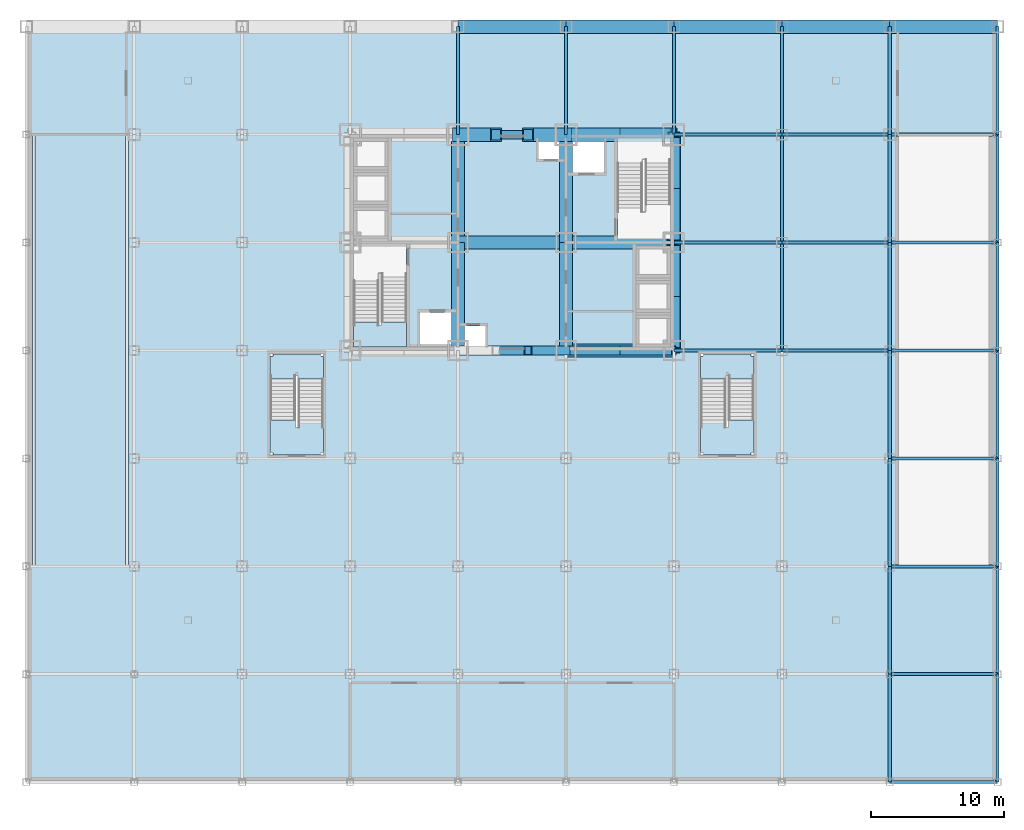
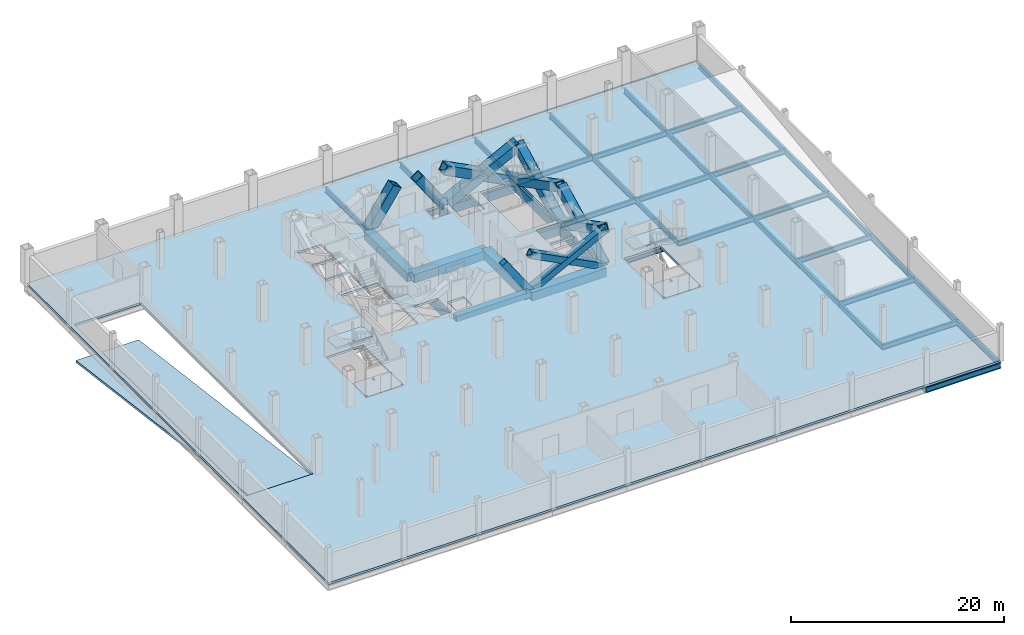
# One storey, part 10 of 14: 50 beams, 11 members, 7 slabs, 3 elements without a shape of their own.
"""IFC4 building model written with IfcOpenShell, lengths in metres."""

from ifc_helpers import new_model, si_unit, direction, frame, origin, origin_2d, place, context, subcontext, project, spatial, polyline, hollow_rectangle, i_section, outline, extrude, material, layer, layer_set, material_profile, profile_set, type_object, element, aggregate, save


model = new_model("IFC4")

# Units and contexts
model_context = context("Model", 3, precision=1e-05, world=origin(), true_north=direction((0.0, 1.0)))
body_context = subcontext(model_context, "Body", "Model", "MODEL_VIEW")
ifc_project = project(units=[si_unit("LENGTHUNIT", "METRE"), si_unit("AREAUNIT", "SQUARE_METRE"), si_unit("VOLUMEUNIT", "CUBIC_METRE"), si_unit("PLANEANGLEUNIT", "RADIAN"), si_unit("MASSUNIT", "GRAM", prefix="KILO")], contexts=[model_context])

# Site, building, storey
site_placement = place(None, origin())
site = spatial("IfcSite", under=ifc_project, at=site_placement, CompositionType="ELEMENT")
building_placement = place(site_placement, origin())
building = spatial("IfcBuilding", under=site, at=building_placement, Name="Kopane Lantern Tower", CompositionType="ELEMENT")
storey_placement = place(building_placement, frame((0.0, 0.0, -4.199951171875)))
storey = spatial("IfcBuildingStorey", under=building, at=storey_placement, Name="L-01", CompositionType="ELEMENT", Elevation=-4.199951171875)

# Members
ifc_material_1 = material(Name="Steel S355JR", Category="steel")
ifc_material_profile_1 = material_profile(ifc_material_1, hollow_rectangle(XDim=1.0, YDim=1.0, WallThickness=0.10009765625, at=origin_2d()), Name="BOX 1000x1000x100")
ifc_profile_set_1 = profile_set([ifc_material_profile_1], Name="Steel S355JR")
member_type_1 = type_object("IfcMemberType", Name="BRACE BOX 1000x1000x100", PredefinedType="BRACE", material=ifc_profile_set_1)
for number, where, z_axis, x_axis, name in (
    (1, (24.300048828125, 40.5, -0.25), (0.561486126659, 0.0, 0.827486150682), (0.0, 1.0, 0.0), "Core brace L-01"),
    (2, (32.39990234375, 40.5, -0.25), (-0.561486126659, 0.0, 0.827486150682), (0.0, -1.0, 0.0), "Core brace L-01"),
):
    element("IfcMember", number, at=place(storey_placement, frame(where, z_axis=z_axis, x_axis=x_axis)), inside=storey, type_object=member_type_1, Name=name, PredefinedType="BRACE", context=body_context, shape_type="SweptSolid", body=[
        extrude(hollow_rectangle(XDim=1.0, YDim=1.0, WallThickness=0.10009765625, at=origin_2d()), origin(), (0.0, 0.0, 1.0), 5.075439453125),
    ])
for number, where, z_axis, x_axis, name in (
    (3, (32.39990234375, 40.5, -0.25), (0.887758986163, 0.0, 0.460308573119), (0.0, 1.0, 0.0), "Core brace L-01"),
    (4, (40.5, 40.5, -0.25), (-0.887758986163, 0.0, 0.460308573119), (0.0, -1.0, 0.0), "Core brace L-01"),
):
    element("IfcMember", number, at=place(storey_placement, frame(where, z_axis=z_axis, x_axis=x_axis)), inside=storey, type_object=member_type_1, Name=name, PredefinedType="BRACE", context=body_context, shape_type="SweptSolid", body=[
        extrude(hollow_rectangle(XDim=1.0, YDim=1.0, WallThickness=0.10009765625, at=origin_2d()), origin(), (0.0, 0.0, 1.0), 9.124267578125),
    ])
ifc_material_2 = material(Name="Steel S355JR", Category="steel")
ifc_material_profile_2 = material_profile(ifc_material_2, hollow_rectangle(XDim=0.699951171875, YDim=0.699951171875, WallThickness=0.06005859375, at=origin_2d()), Name="BOX 700x700x60")
ifc_profile_set_2 = profile_set([ifc_material_profile_2], Name="Steel S355JR")
member_type_2 = type_object("IfcMemberType", Name="BRACE BOX 700x700x60", PredefinedType="BRACE", material=ifc_profile_set_2)
member_placement = place(storey_placement, frame((32.39990234375, 24.300048828125, -0.25), z_axis=(-0.561486126659, 0.0, 0.827486150682), x_axis=(0.0, -1.0, 0.0)))
element("IfcMember", 5, at=member_placement, inside=storey, type_object=member_type_2, Name="Core brace L-01", PredefinedType="BRACE", context=body_context, shape_type="SweptSolid", body=[
    extrude(hollow_rectangle(XDim=0.699951171875, YDim=0.699951171875, WallThickness=0.06005859375, at=origin_2d()), origin(), (0.0, 0.0, 1.0), 5.075439453125),
])
for number, where, z_axis, x_axis, name in (
    (6, (32.39990234375, 24.300048828125, -0.25), (0.887758986163, 0.0, 0.460308573119), (0.0, 1.0, 0.0), "Core brace L-01"),
    (7, (40.5, 24.300048828125, -0.25), (-0.887758986163, 0.0, 0.460308573119), (0.0, -1.0, 0.0), "Core brace L-01"),
):
    element("IfcMember", number, at=place(storey_placement, frame(where, z_axis=z_axis, x_axis=x_axis)), inside=storey, type_object=member_type_2, Name=name, PredefinedType="BRACE", context=body_context, shape_type="SweptSolid", body=[
        extrude(hollow_rectangle(XDim=0.699951171875, YDim=0.699951171875, WallThickness=0.06005859375, at=origin_2d()), origin(), (0.0, 0.0, 1.0), 9.124267578125),
    ])
ifc_material_3 = material(Name="Steel S355JR", Category="steel")
ifc_material_profile_3 = material_profile(ifc_material_3, hollow_rectangle(XDim=0.89990234375, YDim=0.89990234375, WallThickness=0.090087890625, at=origin_2d()), Name="BOX 900x900x90")
ifc_profile_set_3 = profile_set([ifc_material_profile_3], Name="Steel S355JR")
member_type_3 = type_object("IfcMemberType", Name="BRACE BOX 900x900x90", PredefinedType="BRACE", material=ifc_profile_set_3)
for number, where, z_axis, x_axis, name in (
    (8, (40.5, 24.300048828125, -0.25), (0.0, 0.887753316484, 0.460319507595), (-1.0, 0.0, 0.0), "Core brace L-01"),
    (9, (40.5, 32.39990234375, -0.25), (0.0, -0.887753316484, 0.460319507595), (1.0, 0.0, 0.0), "Core brace L-01"),
):
    element("IfcMember", number, at=place(storey_placement, frame(where, z_axis=z_axis, x_axis=x_axis)), inside=storey, type_object=member_type_3, Name=name, PredefinedType="BRACE", context=body_context, shape_type="SweptSolid", body=[
        extrude(hollow_rectangle(XDim=0.89990234375, YDim=0.89990234375, WallThickness=0.090087890625, at=origin_2d()), origin(), (0.0, 0.0, 1.0), 9.1240234375),
    ])
for number, where, z_axis, x_axis, name in (
    (10, (40.5, 32.39990234375, -0.25), (0.0, 0.887758986163, 0.460308573119), (-1.0, 0.0, 0.0), "Core brace L-01"),
    (11, (40.5, 40.5, -0.25), (0.0, -0.887758986163, 0.460308573119), (1.0, 0.0, 0.0), "Core brace L-01"),
):
    element("IfcMember", number, at=place(storey_placement, frame(where, z_axis=z_axis, x_axis=x_axis)), inside=storey, type_object=member_type_3, Name=name, PredefinedType="BRACE", context=body_context, shape_type="SweptSolid", body=[
        extrude(hollow_rectangle(XDim=0.89990234375, YDim=0.89990234375, WallThickness=0.090087890625, at=origin_2d()), origin(), (0.0, 0.0, 1.0), 9.124267578125),
    ])

# Beams
ifc_material_4 = material(Name="Steel S355JR", Category="steel")
ifc_material_profile_4 = material_profile(ifc_material_4, hollow_rectangle(XDim=1.0, YDim=1.0, WallThickness=0.06005859375, at=origin_2d()), Name="BOX 1000x1000x60")
ifc_profile_set_4 = profile_set([ifc_material_profile_4], Name="Steel S355JR")
beam_type_1 = type_object("IfcBeamType", Name="CORE BEAM BOX 1000x1000x60", PredefinedType="BEAM", material=ifc_profile_set_4)
beam_1_placement = place(storey_placement, frame((24.300048828125, 24.300048828125, -0.75), z_axis=(0.0, 1.0, 0.0), x_axis=(-1.0, 0.0, 0.0)))
element("IfcBeam", 12, at=beam_1_placement, inside=storey, type_object=beam_type_1, Name="Core Beam L-01", PredefinedType="BEAM", context=body_context, shape_type="SweptSolid", body=[
    extrude(hollow_rectangle(XDim=1.0, YDim=1.0, WallThickness=0.06005859375, at=origin_2d()), origin(), (0.0, 0.0, 1.0), 8.099853515625),
])
beam_2_placement = place(storey_placement, frame((24.300048828125, 32.39990234375, -0.75), z_axis=(0.0, 1.0, 0.0), x_axis=(-1.0, 0.0, 0.0)))
element("IfcBeam", 13, at=beam_2_placement, inside=storey, type_object=beam_type_1, Name="Core Beam L-01", PredefinedType="BEAM", context=body_context, shape_type="SweptSolid", body=[
    extrude(hollow_rectangle(XDim=1.0, YDim=1.0, WallThickness=0.06005859375, at=origin_2d()), origin(), (0.0, 0.0, 1.0), 8.10009765625),
])
for number, where, z_axis, x_axis, name in (
    (14, (24.300048828125, 32.39990234375, -0.75), (1.0, 0.0, 0.0), (0.0, 1.0, 0.0), "Core Beam L-01"),
    (15, (32.39990234375, 24.300048828125, -0.75), (0.0, 1.0, 0.0), (-1.0, 0.0, 0.0), "Core Beam L-01"),
):
    element("IfcBeam", number, at=place(storey_placement, frame(where, z_axis=z_axis, x_axis=x_axis)), inside=storey, type_object=beam_type_1, Name=name, PredefinedType="BEAM", context=body_context, shape_type="SweptSolid", body=[
        extrude(hollow_rectangle(XDim=1.0, YDim=1.0, WallThickness=0.06005859375, at=origin_2d()), origin(), (0.0, 0.0, 1.0), 8.099853515625),
    ])
for number, where, z_axis, x_axis, name in (
    (16, (32.39990234375, 32.39990234375, -0.75), (0.0, 1.0, 0.0), (-1.0, 0.0, 0.0), "Core Beam L-01"),
    (17, (32.39990234375, 32.39990234375, -0.75), (1.0, 0.0, 0.0), (0.0, 1.0, 0.0), "Core Beam L-01"),
):
    element("IfcBeam", number, at=place(storey_placement, frame(where, z_axis=z_axis, x_axis=x_axis)), inside=storey, type_object=beam_type_1, Name=name, PredefinedType="BEAM", context=body_context, shape_type="SweptSolid", body=[
        extrude(hollow_rectangle(XDim=1.0, YDim=1.0, WallThickness=0.06005859375, at=origin_2d()), origin(), (0.0, 0.0, 1.0), 8.10009765625),
    ])
ifc_material_5 = material(Name="Steel S355JR", Category="steel")
ifc_material_profile_5 = material_profile(ifc_material_5, hollow_rectangle(XDim=1.0, YDim=1.0, WallThickness=0.06005859375, at=origin_2d()), Name="BOX 1000x1000x60")
ifc_profile_set_5 = profile_set([ifc_material_profile_5], Name="Steel S355JR")
beam_type_2 = type_object("IfcBeamType", Name="GIRDER BOX 1000x1000x60", PredefinedType="BEAM", material=ifc_profile_set_5)
beam_3_placement = place(storey_placement, frame((24.300048828125, 48.60009765625, -0.75), z_axis=(1.0, 0.0, 0.0), x_axis=(0.0, 1.0, 0.0)))
element("IfcBeam", 18, at=beam_3_placement, inside=storey, type_object=beam_type_2, Name="Girder L-01", PredefinedType="BEAM", context=body_context, shape_type="SweptSolid", body=[
    extrude(hollow_rectangle(XDim=1.0, YDim=1.0, WallThickness=0.06005859375, at=origin_2d()), origin(), (0.0, 0.0, 1.0), 8.099853515625),
])
for number, where, z_axis, x_axis, name in (
    (19, (32.39990234375, 24.300048828125, -0.75), (1.0, 0.0, 0.0), (0.0, 1.0, 0.0), "Girder L-01"),
    (20, (32.39990234375, 40.5, -0.75), (1.0, 0.0, 0.0), (0.0, 1.0, 0.0), "Girder L-01"),
    (21, (32.39990234375, 48.60009765625, -0.75), (1.0, 0.0, 0.0), (0.0, 1.0, 0.0), "Girder L-01"),
):
    element("IfcBeam", number, at=place(storey_placement, frame(where, z_axis=z_axis, x_axis=x_axis)), inside=storey, type_object=beam_type_2, Name=name, PredefinedType="BEAM", context=body_context, shape_type="SweptSolid", body=[
        extrude(hollow_rectangle(XDim=1.0, YDim=1.0, WallThickness=0.06005859375, at=origin_2d()), origin(), (0.0, 0.0, 1.0), 8.10009765625),
    ])
beam_4_placement = place(storey_placement, frame((40.5, 24.300048828125, -0.75), z_axis=(0.0, 1.0, 0.0), x_axis=(-1.0, 0.0, 0.0)))
element("IfcBeam", 22, at=beam_4_placement, inside=storey, type_object=beam_type_2, Name="Girder L-01", PredefinedType="BEAM", context=body_context, shape_type="SweptSolid", body=[
    extrude(hollow_rectangle(XDim=1.0, YDim=1.0, WallThickness=0.06005859375, at=origin_2d()), origin(), (0.0, 0.0, 1.0), 8.099853515625),
])
for number, where, z_axis, x_axis, name in (
    (23, (40.5, 32.39990234375, -0.75), (0.0, 1.0, 0.0), (-1.0, 0.0, 0.0), "Girder L-01"),
    (24, (40.5, 48.60009765625, -0.75), (1.0, 0.0, 0.0), (0.0, 1.0, 0.0), "Girder L-01"),
):
    element("IfcBeam", number, at=place(storey_placement, frame(where, z_axis=z_axis, x_axis=x_axis)), inside=storey, type_object=beam_type_2, Name=name, PredefinedType="BEAM", context=body_context, shape_type="SweptSolid", body=[
        extrude(hollow_rectangle(XDim=1.0, YDim=1.0, WallThickness=0.06005859375, at=origin_2d()), origin(), (0.0, 0.0, 1.0), 8.10009765625),
    ])
beam_5_placement = place(storey_placement, frame((48.60009765625, 48.60009765625, -0.75), z_axis=(1.0, 0.0, 0.0), x_axis=(0.0, 1.0, 0.0)))
element("IfcBeam", 25, at=beam_5_placement, inside=storey, type_object=beam_type_2, Name="Girder L-01", PredefinedType="BEAM", context=body_context, shape_type="SweptSolid", body=[
    extrude(hollow_rectangle(XDim=1.0, YDim=1.0, WallThickness=0.06005859375, at=origin_2d()), origin(), (0.0, 0.0, 1.0), 8.099853515625),
])
beam_6_placement = place(storey_placement, frame((56.699951171875, 48.60009765625, -0.75), z_axis=(1.0, 0.0, 0.0), x_axis=(0.0, 1.0, 0.0)))
element("IfcBeam", 26, at=beam_6_placement, inside=storey, type_object=beam_type_2, Name="Girder L-01", PredefinedType="BEAM", context=body_context, shape_type="SweptSolid", body=[
    extrude(hollow_rectangle(XDim=1.0, YDim=1.0, WallThickness=0.06005859375, at=origin_2d()), origin(), (0.0, 0.0, 1.0), 8.10009765625),
])
ifc_material_6 = material(Name="Steel S355JR", Category="steel")
ifc_material_profile_6 = material_profile(ifc_material_6, i_section(OverallWidth=0.22900390625, OverallDepth=0.6123046875, WebThickness=0.011962890625, FlangeThickness=0.01953125, FilletRadius=0.0126953125, at=origin_2d()), Name="UB 610x229x125")
ifc_profile_set_6 = profile_set([ifc_material_profile_6], Name="Steel S355JR")
beam_type_3 = type_object("IfcBeamType", Name="GIRDER UB 610x229x125", PredefinedType="BEAM", material=ifc_profile_set_6)
for number, where, z_axis, x_axis, name in (
    (27, (24.300048828125, 40.5, -0.55615234375), (0.0, 1.0, 0.0), (-1.0, 0.0, 0.0), "Girder L-01"),
    (28, (32.39990234375, 40.5, -0.55615234375), (0.0, 1.0, 0.0), (-1.0, 0.0, 0.0), "Girder L-01"),
    (29, (40.5, 24.300048828125, -0.55615234375), (1.0, 0.0, 0.0), (0.0, 1.0, 0.0), "Girder L-01"),
    (30, (40.5, 32.39990234375, -0.55615234375), (1.0, 0.0, 0.0), (0.0, 1.0, 0.0), "Girder L-01"),
    (31, (40.5, 40.5, -0.55615234375), (0.0, 1.0, 0.0), (-1.0, 0.0, 0.0), "Girder L-01"),
    (32, (40.5, 40.5, -0.55615234375), (1.0, 0.0, 0.0), (0.0, 1.0, 0.0), "Girder L-01"),
):
    element("IfcBeam", number, at=place(storey_placement, frame(where, z_axis=z_axis, x_axis=x_axis)), inside=storey, type_object=beam_type_3, Name=name, PredefinedType="BEAM", context=body_context, shape_type="SweptSolid", body=[
        extrude(i_section(OverallWidth=0.22900390625, OverallDepth=0.6123046875, WebThickness=0.011962890625, FlangeThickness=0.01953125, FilletRadius=0.0126953125, at=origin_2d()), origin(), (0.0, 0.0, 1.0), 8.10009765625),
    ])
for number, where, z_axis, x_axis, name in (
    (33, (48.60009765625, 24.300048828125, -0.55615234375), (0.0, 1.0, 0.0), (-1.0, 0.0, 0.0), "Girder L-01"),
    (34, (48.60009765625, 24.300048828125, -0.55615234375), (1.0, 0.0, 0.0), (0.0, 1.0, 0.0), "Girder L-01"),
):
    element("IfcBeam", number, at=place(storey_placement, frame(where, z_axis=z_axis, x_axis=x_axis)), inside=storey, type_object=beam_type_3, Name=name, PredefinedType="BEAM", context=body_context, shape_type="SweptSolid", body=[
        extrude(i_section(OverallWidth=0.22900390625, OverallDepth=0.6123046875, WebThickness=0.011962890625, FlangeThickness=0.01953125, FilletRadius=0.0126953125, at=origin_2d()), origin(), (0.0, 0.0, 1.0), 8.099853515625),
    ])
beam_7_placement = place(storey_placement, frame((48.60009765625, 32.39990234375, -0.55615234375), z_axis=(0.0, 1.0, 0.0), x_axis=(-1.0, 0.0, 0.0)))
element("IfcBeam", 35, at=beam_7_placement, inside=storey, type_object=beam_type_3, Name="Girder L-01", PredefinedType="BEAM", context=body_context, shape_type="SweptSolid", body=[
    extrude(i_section(OverallWidth=0.22900390625, OverallDepth=0.6123046875, WebThickness=0.011962890625, FlangeThickness=0.01953125, FilletRadius=0.0126953125, at=origin_2d()), origin(), (0.0, 0.0, 1.0), 8.10009765625),
])
beam_8_placement = place(storey_placement, frame((48.60009765625, 32.39990234375, -0.55615234375), z_axis=(1.0, 0.0, 0.0), x_axis=(0.0, 1.0, 0.0)))
element("IfcBeam", 36, at=beam_8_placement, inside=storey, type_object=beam_type_3, Name="Girder L-01", PredefinedType="BEAM", context=body_context, shape_type="SweptSolid", body=[
    extrude(i_section(OverallWidth=0.22900390625, OverallDepth=0.6123046875, WebThickness=0.011962890625, FlangeThickness=0.01953125, FilletRadius=0.0126953125, at=origin_2d()), origin(), (0.0, 0.0, 1.0), 8.099853515625),
])
beam_9_placement = place(storey_placement, frame((48.60009765625, 40.5, -0.55615234375), z_axis=(0.0, 1.0, 0.0), x_axis=(-1.0, 0.0, 0.0)))
element("IfcBeam", 37, at=beam_9_placement, inside=storey, type_object=beam_type_3, Name="Girder L-01", PredefinedType="BEAM", context=body_context, shape_type="SweptSolid", body=[
    extrude(i_section(OverallWidth=0.22900390625, OverallDepth=0.6123046875, WebThickness=0.011962890625, FlangeThickness=0.01953125, FilletRadius=0.0126953125, at=origin_2d()), origin(), (0.0, 0.0, 1.0), 8.10009765625),
])
beam_10_placement = place(storey_placement, frame((48.60009765625, 40.5, -0.55615234375), z_axis=(1.0, 0.0, 0.0), x_axis=(0.0, 1.0, 0.0)))
element("IfcBeam", 38, at=beam_10_placement, inside=storey, type_object=beam_type_3, Name="Girder L-01", PredefinedType="BEAM", context=body_context, shape_type="SweptSolid", body=[
    extrude(i_section(OverallWidth=0.22900390625, OverallDepth=0.6123046875, WebThickness=0.011962890625, FlangeThickness=0.01953125, FilletRadius=0.0126953125, at=origin_2d()), origin(), (0.0, 0.0, 1.0), 8.099853515625),
])
for number, where, z_axis, x_axis, name in (
    (39, (56.699951171875, -8.10009765625, -0.55615234375), (0.0, 1.0, 0.0), (-1.0, 0.0, 0.0), "Girder L-01"),
    (40, (56.699951171875, -8.10009765625, -0.55615234375), (1.0, 0.0, 0.0), (0.0, 1.0, 0.0), "Girder L-01"),
    (41, (56.699951171875, 0.0, -0.55615234375), (0.0, 1.0, 0.0), (-1.0, 0.0, 0.0), "Girder L-01"),
    (42, (56.699951171875, 0.0, -0.55615234375), (1.0, 0.0, 0.0), (0.0, 1.0, 0.0), "Girder L-01"),
):
    element("IfcBeam", number, at=place(storey_placement, frame(where, z_axis=z_axis, x_axis=x_axis)), inside=storey, type_object=beam_type_3, Name=name, PredefinedType="BEAM", context=body_context, shape_type="SweptSolid", body=[
        extrude(i_section(OverallWidth=0.22900390625, OverallDepth=0.6123046875, WebThickness=0.011962890625, FlangeThickness=0.01953125, FilletRadius=0.0126953125, at=origin_2d()), origin(), (0.0, 0.0, 1.0), 8.10009765625),
    ])
beam_11_placement = place(storey_placement, frame((56.699951171875, 8.10009765625, -0.55615234375), z_axis=(0.0, 1.0, 0.0), x_axis=(-1.0, 0.0, 0.0)))
element("IfcBeam", 43, at=beam_11_placement, inside=storey, type_object=beam_type_3, Name="Girder L-01", PredefinedType="BEAM", context=body_context, shape_type="SweptSolid", body=[
    extrude(i_section(OverallWidth=0.22900390625, OverallDepth=0.6123046875, WebThickness=0.011962890625, FlangeThickness=0.01953125, FilletRadius=0.0126953125, at=origin_2d()), origin(), (0.0, 0.0, 1.0), 8.099853515625),
])
for number, where, z_axis, x_axis, name in (
    (44, (56.699951171875, 8.10009765625, -0.55615234375), (1.0, 0.0, 0.0), (0.0, 1.0, 0.0), "Girder L-01"),
    (45, (56.699951171875, 16.199951171875, -0.55615234375), (0.0, 1.0, 0.0), (-1.0, 0.0, 0.0), "Girder L-01"),
    (46, (56.699951171875, 16.199951171875, -0.55615234375), (1.0, 0.0, 0.0), (0.0, 1.0, 0.0), "Girder L-01"),
):
    element("IfcBeam", number, at=place(storey_placement, frame(where, z_axis=z_axis, x_axis=x_axis)), inside=storey, type_object=beam_type_3, Name=name, PredefinedType="BEAM", context=body_context, shape_type="SweptSolid", body=[
        extrude(i_section(OverallWidth=0.22900390625, OverallDepth=0.6123046875, WebThickness=0.011962890625, FlangeThickness=0.01953125, FilletRadius=0.0126953125, at=origin_2d()), origin(), (0.0, 0.0, 1.0), 8.10009765625),
    ])
beam_12_placement = place(storey_placement, frame((56.699951171875, 24.300048828125, -0.55615234375), z_axis=(0.0, 1.0, 0.0), x_axis=(-1.0, 0.0, 0.0)))
element("IfcBeam", 47, at=beam_12_placement, inside=storey, type_object=beam_type_3, Name="Girder L-01", PredefinedType="BEAM", context=body_context, shape_type="SweptSolid", body=[
    extrude(i_section(OverallWidth=0.22900390625, OverallDepth=0.6123046875, WebThickness=0.011962890625, FlangeThickness=0.01953125, FilletRadius=0.0126953125, at=origin_2d()), origin(), (0.0, 0.0, 1.0), 8.099853515625),
])
for number, where, z_axis, x_axis, name in (
    (48, (56.699951171875, 24.300048828125, -0.55615234375), (1.0, 0.0, 0.0), (0.0, 1.0, 0.0), "Girder L-01"),
    (49, (56.699951171875, 32.39990234375, -0.55615234375), (0.0, 1.0, 0.0), (-1.0, 0.0, 0.0), "Girder L-01"),
    (50, (56.699951171875, 32.39990234375, -0.55615234375), (1.0, 0.0, 0.0), (0.0, 1.0, 0.0), "Girder L-01"),
    (51, (56.699951171875, 40.5, -0.55615234375), (0.0, 1.0, 0.0), (-1.0, 0.0, 0.0), "Girder L-01"),
    (52, (56.699951171875, 40.5, -0.55615234375), (1.0, 0.0, 0.0), (0.0, 1.0, 0.0), "Girder L-01"),
    (53, (64.800048828125, -8.10009765625, -0.55615234375), (0.0, 1.0, 0.0), (-1.0, 0.0, 0.0), "Girder L-01"),
    (54, (64.800048828125, 0.0, -0.55615234375), (0.0, 1.0, 0.0), (-1.0, 0.0, 0.0), "Girder L-01"),
):
    element("IfcBeam", number, at=place(storey_placement, frame(where, z_axis=z_axis, x_axis=x_axis)), inside=storey, type_object=beam_type_3, Name=name, PredefinedType="BEAM", context=body_context, shape_type="SweptSolid", body=[
        extrude(i_section(OverallWidth=0.22900390625, OverallDepth=0.6123046875, WebThickness=0.011962890625, FlangeThickness=0.01953125, FilletRadius=0.0126953125, at=origin_2d()), origin(), (0.0, 0.0, 1.0), 8.10009765625),
    ])
beam_13_placement = place(storey_placement, frame((64.800048828125, 8.10009765625, -0.55615234375), z_axis=(0.0, 1.0, 0.0), x_axis=(-1.0, 0.0, 0.0)))
element("IfcBeam", 55, at=beam_13_placement, inside=storey, type_object=beam_type_3, Name="Girder L-01", PredefinedType="BEAM", context=body_context, shape_type="SweptSolid", body=[
    extrude(i_section(OverallWidth=0.22900390625, OverallDepth=0.6123046875, WebThickness=0.011962890625, FlangeThickness=0.01953125, FilletRadius=0.0126953125, at=origin_2d()), origin(), (0.0, 0.0, 1.0), 8.099853515625),
])
beam_14_placement = place(storey_placement, frame((64.800048828125, 16.199951171875, -0.55615234375), z_axis=(0.0, 1.0, 0.0), x_axis=(-1.0, 0.0, 0.0)))
element("IfcBeam", 56, at=beam_14_placement, inside=storey, type_object=beam_type_3, Name="Girder L-01", PredefinedType="BEAM", context=body_context, shape_type="SweptSolid", body=[
    extrude(i_section(OverallWidth=0.22900390625, OverallDepth=0.6123046875, WebThickness=0.011962890625, FlangeThickness=0.01953125, FilletRadius=0.0126953125, at=origin_2d()), origin(), (0.0, 0.0, 1.0), 8.10009765625),
])
beam_15_placement = place(storey_placement, frame((64.800048828125, 24.300048828125, -0.55615234375), z_axis=(0.0, 1.0, 0.0), x_axis=(-1.0, 0.0, 0.0)))
element("IfcBeam", 57, at=beam_15_placement, inside=storey, type_object=beam_type_3, Name="Girder L-01", PredefinedType="BEAM", context=body_context, shape_type="SweptSolid", body=[
    extrude(i_section(OverallWidth=0.22900390625, OverallDepth=0.6123046875, WebThickness=0.011962890625, FlangeThickness=0.01953125, FilletRadius=0.0126953125, at=origin_2d()), origin(), (0.0, 0.0, 1.0), 8.099853515625),
])
for number, where, z_axis, x_axis, name in (
    (58, (64.800048828125, 32.39990234375, -0.55615234375), (0.0, 1.0, 0.0), (-1.0, 0.0, 0.0), "Girder L-01"),
    (59, (64.800048828125, 40.5, -0.55615234375), (0.0, 1.0, 0.0), (-1.0, 0.0, 0.0), "Girder L-01"),
):
    element("IfcBeam", number, at=place(storey_placement, frame(where, z_axis=z_axis, x_axis=x_axis)), inside=storey, type_object=beam_type_3, Name=name, PredefinedType="BEAM", context=body_context, shape_type="SweptSolid", body=[
        extrude(i_section(OverallWidth=0.22900390625, OverallDepth=0.6123046875, WebThickness=0.011962890625, FlangeThickness=0.01953125, FilletRadius=0.0126953125, at=origin_2d()), origin(), (0.0, 0.0, 1.0), 8.10009765625),
    ])
ifc_material_7 = material(Name="Steel S355JR", Category="steel")
ifc_material_profile_7 = material_profile(ifc_material_7, hollow_rectangle(XDim=0.64990234375, YDim=0.64990234375, WallThickness=0.070068359375, at=origin_2d()), Name="BOX 650x650x70")
ifc_profile_set_7 = profile_set([ifc_material_profile_7], Name="Steel S355JR")
beam_type_4 = type_object("IfcBeamType", Name="LINK BEAM BOX 650x650x70", PredefinedType="BEAM", material=ifc_profile_set_7)
for number, where, z_axis, x_axis, name in (
    (60, (24.300048828125, 24.300048828125, -0.574951171875), (1.0, 0.0, 0.0), (0.0, 1.0, 0.0), "Link Beam L-01"),
    (61, (24.300048828125, 40.5, -0.574951171875), (1.0, 0.0, 0.0), (0.0, 1.0, 0.0), "Link Beam L-01"),
):
    element("IfcBeam", number, at=place(storey_placement, frame(where, z_axis=z_axis, x_axis=x_axis)), inside=storey, type_object=beam_type_4, Name=name, PredefinedType="BEAM", context=body_context, shape_type="SweptSolid", body=[
        extrude(hollow_rectangle(XDim=0.64990234375, YDim=0.64990234375, WallThickness=0.070068359375, at=origin_2d()), origin(), (0.0, 0.0, 1.0), 8.099853515625),
    ])

# Slabs
ifc_material_8 = material(Name="Concrete C40/50", Category="concrete")
ifc_layer_1 = layer(ifc_material_8, 0.25)
ifc_layer_set_1 = layer_set([ifc_layer_1], Name="Concrete C40/50")
slab_type_1 = type_object("IfcSlabType", Name="CAR RAMP SLAB 250", PredefinedType="FLOOR", material=ifc_layer_set_1)
slab_1_placement = place(storey_placement, frame((-7.449951171875, 8.10009765625, 0.0), z_axis=(0.0, 0.128552939869, 0.991702647799), x_axis=(1.0, 0.0, 0.0)))
element("IfcSlab", 62, at=slab_1_placement, inside=storey, type_object=slab_type_1, Name="Car park ramp slab L-01", PredefinedType="FLOOR", context=body_context, shape_type="SweptSolid", body=[
    extrude(outline(polyline([(0.0, 0.0), (6.800048828125, 0.0), (6.800048828125, 32.67098501316835), (0.0, 32.67098501316835), (0.0, 0.0)])), origin(), (0.0, 0.0, -1.0), 0.25),
])
ifc_material_9 = material(Name="Concrete C40/50", Category="concrete")
ifc_layer_2 = layer(ifc_material_9, 0.25)
ifc_layer_set_2 = layer_set([ifc_layer_2], Name="SLAB 250 COMPOSITE")
slab_type_2 = type_object("IfcSlabType", Name="SLAB 250 COMPOSITE", PredefinedType="FLOOR", material=ifc_layer_set_2)
slab_2_placement = place(storey_placement, frame((0.0, 0.0, -0.25)))
element("IfcSlab", 63, at=slab_2_placement, inside=storey, type_object=slab_type_2, Name="Floor slab L-01", PredefinedType="FLOOR", context=body_context, shape_type="SweptSolid", body=[
    extrude(outline(polyline([(-8.10009765625, -8.10009765625), (64.800048828125, -8.10009765625), (64.800048828125, 48.60009765625), (-8.10009765625, 48.60009765625), (-8.10009765625, -8.10009765625)]), holes=[polyline([(16.449951171875, 24.550048828125), (20.449951171875, 24.550048828125), (20.449951171875, 32.14990234375), (16.449951171875, 32.14990234375), (16.449951171875, 24.550048828125)]), polyline([(36.25, 32.64990234375), (40.25, 32.64990234375), (40.25, 40.25), (36.25, 40.25), (36.25, 32.64990234375)]), polyline([(16.449951171875, 32.64990234375), (19.050048828125, 32.64990234375), (19.050048828125, 35.050048828125), (16.449951171875, 35.050048828125), (16.449951171875, 32.64990234375)]), polyline([(16.449951171875, 35.25), (19.050048828125, 35.25), (19.050048828125, 37.64990234375), (16.449951171875, 37.64990234375), (16.449951171875, 35.25)]), polyline([(16.449951171875, 37.85009765625), (19.050048828125, 37.85009765625), (19.050048828125, 40.25), (16.449951171875, 40.25), (16.449951171875, 37.85009765625)]), polyline([(37.64990234375, 24.550048828125), (40.25, 24.550048828125), (40.25, 26.949951171875), (37.64990234375, 26.949951171875), (37.64990234375, 24.550048828125)]), polyline([(37.64990234375, 27.14990234375), (40.25, 27.14990234375), (40.25, 29.550048828125), (37.64990234375, 29.550048828125), (37.64990234375, 27.14990234375)]), polyline([(37.64990234375, 29.75), (40.25, 29.75), (40.25, 32.14990234375), (37.64990234375, 32.14990234375), (37.64990234375, 29.75)]), polyline([(21.449951171875, 24.550048828125), (24.050048828125, 24.550048828125), (24.050048828125, 27.14990234375), (21.449951171875, 27.14990234375), (21.449951171875, 24.550048828125)]), polyline([(32.64990234375, 37.64990234375), (35.25, 37.64990234375), (35.25, 40.25), (32.64990234375, 40.25), (32.64990234375, 37.64990234375)]), polyline([(24.550048828125, 24.550048828125), (26.35009765625, 24.550048828125), (26.35009765625, 26.14990234375), (24.550048828125, 26.14990234375), (24.550048828125, 24.550048828125)]), polyline([(30.35009765625, 38.64990234375), (32.14990234375, 38.64990234375), (32.14990234375, 40.25), (30.35009765625, 40.25), (30.35009765625, 38.64990234375)]), polyline([(10.199951171875, 16.449951171875), (14.199951171875, 16.449951171875), (14.199951171875, 24.050048828125), (10.199951171875, 24.050048828125), (10.199951171875, 16.449951171875)]), polyline([(42.5, 16.449951171875), (46.5, 16.449951171875), (46.5, 24.050048828125), (42.5, 24.050048828125), (42.5, 16.449951171875)]), polyline([(-7.64990234375, 8.10009765625), (-0.449951171875, 8.10009765625), (-0.449951171875, 40.5), (-7.64990234375, 40.5), (-7.64990234375, 8.10009765625)])]), origin(), (0.0, 0.0, 1.0), 0.25),
])

# Stair, slab
ifc_material_10 = material(Name="Steel S355JR", Category="steel")
stair_type = type_object("IfcStairType", Name="EXIT STAIR 1900 HALF TURN", PredefinedType="HALF_TURN_STAIR", material=ifc_material_10)
stair_1_placement = place(storey_placement, origin())
stair_1 = element("IfcStair", 64, at=stair_1_placement, inside=storey, type_object=stair_type, Name="Exit stair ST1 L-01", PredefinedType="HALF_TURN_STAIR")
ifc_material_11 = material(Name="Concrete C40/50", Category="concrete")
ifc_layer_3 = layer(ifc_material_11, 0.199951171875)
ifc_layer_set_3 = layer_set([ifc_layer_3], Name="STAIR LANDING 200")
slab_type_3 = type_object("IfcSlabType", Name="STAIR LANDING 200", PredefinedType="LANDING", material=ifc_layer_set_3)
slab_3_placement = place(storey_placement, frame((0.0, 0.0, 1.98388671875)))
slab_3 = element("IfcSlab", 65, at=slab_3_placement, type_object=slab_type_3, Name="ST1 landing 2", PredefinedType="LANDING", context=body_context, shape_type="SweptSolid", body=[
    extrude(outline(polyline([(20.449951171875, 26.449951171875), (18.550048828125, 26.449951171875), (18.550048828125, 26.169921875), (18.35009765625, 26.169921875), (18.35009765625, 26.449951171875), (16.449951171875, 26.449951171875), (16.449951171875, 24.550048828125), (20.449951171875, 24.550048828125), (20.449951171875, 26.449951171875)])), origin(), (0.0, 0.0, 1.0), 0.199951171875),
])
aggregate(stair_1, [slab_3])

# Stair, slabs
stair_2_placement = place(storey_placement, origin())
stair_2 = element("IfcStair", 66, at=stair_2_placement, inside=storey, type_object=stair_type, Name="Exit stair ST3 L-01", PredefinedType="HALF_TURN_STAIR")
slab_4_placement = place(storey_placement, frame((0.0, 0.0, -0.199951171875)))
slab_4 = element("IfcSlab", 67, at=slab_4_placement, type_object=slab_type_3, Name="ST3 landing 1", PredefinedType="LANDING", context=body_context, shape_type="SweptSolid", body=[
    extrude(outline(polyline([(10.39990234375, 16.64990234375), (10.39990234375, 16.449951171875), (14.0, 16.449951171875), (14.0, 16.64990234375), (14.199951171875, 16.64990234375), (14.199951171875, 19.070068359375), (12.300048828125, 19.070068359375), (12.300048828125, 18.510009765625), (12.10009765625, 18.510009765625), (12.10009765625, 19.070068359375), (10.199951171875, 19.070068359375), (10.199951171875, 16.64990234375), (10.39990234375, 16.64990234375)])), origin(), (0.0, 0.0, 1.0), 0.199951171875),
])
slab_5_placement = place(storey_placement, frame((0.0, 0.0, 1.98388671875)))
slab_5 = element("IfcSlab", 68, at=slab_5_placement, type_object=slab_type_3, Name="ST3 landing 2", PredefinedType="LANDING", context=body_context, shape_type="SweptSolid", body=[
    extrude(outline(polyline([(10.39990234375, 23.85009765625), (10.199951171875, 23.85009765625), (10.199951171875, 22.14990234375), (12.10009765625, 22.14990234375), (12.10009765625, 22.429931640625), (12.300048828125, 22.429931640625), (12.300048828125, 22.14990234375), (14.199951171875, 22.14990234375), (14.199951171875, 23.85009765625), (14.0, 23.85009765625), (14.0, 24.050048828125), (10.39990234375, 24.050048828125), (10.39990234375, 23.85009765625)])), origin(), (0.0, 0.0, 1.0), 0.199951171875),
])
aggregate(stair_2, [slab_4, slab_5])

stair_3_placement = place(storey_placement, origin())
stair_3 = element("IfcStair", 69, at=stair_3_placement, inside=storey, type_object=stair_type, Name="Exit stair ST4 L-01", PredefinedType="HALF_TURN_STAIR")
slab_6_placement = place(storey_placement, frame((0.0, 0.0, -0.199951171875)))
slab_6 = element("IfcSlab", 70, at=slab_6_placement, type_object=slab_type_3, Name="ST4 landing 1", PredefinedType="LANDING", context=body_context, shape_type="SweptSolid", body=[
    extrude(outline(polyline([(42.699951171875, 16.64990234375), (42.699951171875, 16.449951171875), (46.300048828125, 16.449951171875), (46.300048828125, 16.64990234375), (46.5, 16.64990234375), (46.5, 19.070068359375), (44.60009765625, 19.070068359375), (44.60009765625, 18.510009765625), (44.39990234375, 18.510009765625), (44.39990234375, 19.070068359375), (42.5, 19.070068359375), (42.5, 16.64990234375), (42.699951171875, 16.64990234375)])), origin(), (0.0, 0.0, 1.0), 0.199951171875),
])
slab_7_placement = place(storey_placement, frame((0.0, 0.0, 1.98388671875)))
slab_7 = element("IfcSlab", 71, at=slab_7_placement, type_object=slab_type_3, Name="ST4 landing 2", PredefinedType="LANDING", context=body_context, shape_type="SweptSolid", body=[
    extrude(outline(polyline([(42.699951171875, 23.85009765625), (42.5, 23.85009765625), (42.5, 22.14990234375), (44.39990234375, 22.14990234375), (44.39990234375, 22.429931640625), (44.60009765625, 22.429931640625), (44.60009765625, 22.14990234375), (46.5, 22.14990234375), (46.5, 23.85009765625), (46.300048828125, 23.85009765625), (46.300048828125, 24.050048828125), (42.699951171875, 24.050048828125), (42.699951171875, 23.85009765625)])), origin(), (0.0, 0.0, 1.0), 0.199951171875),
])
aggregate(stair_3, [slab_6, slab_7])

save(model, "model.ifc")
